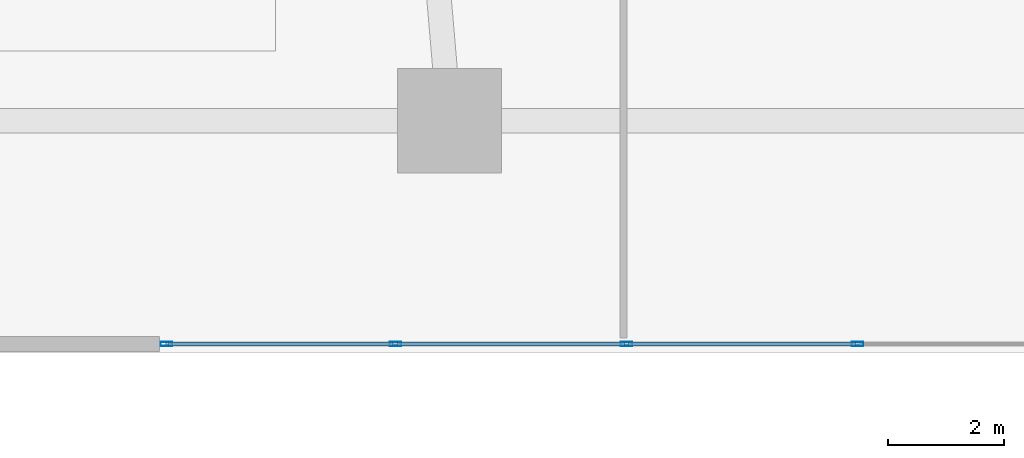
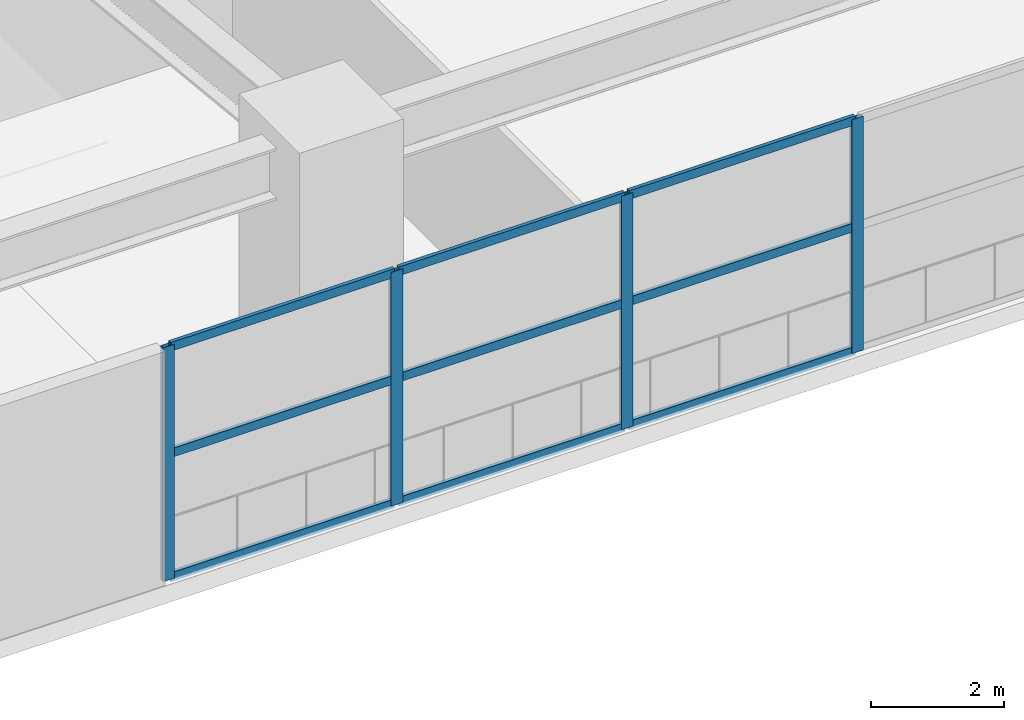
# One storey, part 2 of 25: 13 members, 1 element without a shape of its own.
"""IFC4 building model written with IfcOpenShell, lengths in metres."""

from ifc_helpers import new_model, si_unit, direction, frame, origin, origin_2d, place, context, subcontext, project, spatial, hollow_rectangle, extrude, material, layer, layer_set, material_profile, profile_set, type_object, element, aggregate, save


model = new_model("IFC4")

# Units and contexts
model_context = context("Model", 3, precision=1e-05, world=origin(), true_north=direction((0.0, 1.0)))
body_context = subcontext(model_context, "Body", "Model", "MODEL_VIEW")
ifc_project = project(units=[si_unit("LENGTHUNIT", "METRE"), si_unit("AREAUNIT", "SQUARE_METRE"), si_unit("VOLUMEUNIT", "CUBIC_METRE"), si_unit("PLANEANGLEUNIT", "RADIAN"), si_unit("MASSUNIT", "GRAM", prefix="KILO")], contexts=[model_context])

# Site, building, storey
site_placement = place(None, origin())
site = spatial("IfcSite", under=ifc_project, at=site_placement, CompositionType="ELEMENT")
building_placement = place(site_placement, origin())
building = spatial("IfcBuilding", under=site, at=building_placement, Name="Solvane Sanctuary Tower", CompositionType="ELEMENT")
storey_placement = place(building_placement, frame((0.0, 0.0, 13.800048828125)))
storey = spatial("IfcBuildingStorey", under=building, at=storey_placement, Name="L04", CompositionType="ELEMENT", Elevation=13.800048828125)

# Curtain wall, members
ifc_material = material(Name="Anodised Aluminium 6063-T6", Category="aluminium")
ifc_layer = layer(ifc_material, 0.159912109375, Name="Anodised Aluminium 6063-T6")
ifc_layer_set = layer_set([ifc_layer], Name="Anodised Aluminium 6063-T6")
curtain_wall_type = type_object("IfcCurtainWallType", Name="Curtain Wall CW-POD", PredefinedType="NOTDEFINED", material=ifc_layer_set)
curtain_wall_placement = place(storey_placement, origin())
curtain_wall = element("IfcCurtainWall", 1, at=curtain_wall_placement, inside=storey, type_object=curtain_wall_type, Name="L04 Sanctuary Curtain Wall S2", PredefinedType="NOTDEFINED")
ifc_material_profile_1 = material_profile(ifc_material, hollow_rectangle(XDim=0.074951171875, YDim=0.199951171875, WallThickness=0.00390625, at=origin_2d()), Name="ALU200X75X4")
ifc_profile_set_1 = profile_set([ifc_material_profile_1], Name="Anodised Aluminium 6063-T6")
member_type_1 = type_object("IfcMemberType", Name="Member M-CW-MUL-1 ALU200X75X4", PredefinedType="MULLION", material=ifc_profile_set_1)
member_1_placement = place(storey_placement, frame((20.117431640625, 0.14990234375, 0.0), z_axis=(0.0, 0.0, 1.0), x_axis=(0.0, 1.0, 0.0)))
member_1 = element("IfcMember", 2, at=member_1_placement, type_object=member_type_1, Name="CW-POD mullion 1", PredefinedType="MULLION", context=body_context, shape_type="SweptSolid", body=[
    extrude(hollow_rectangle(XDim=0.074951171875, YDim=0.199951171875, WallThickness=0.00390625, at=origin_2d()), origin(), (0.0, 0.0, 1.0), 4.280029296875),
])
member_2_placement = place(storey_placement, frame((24.066650390625, 0.14990234375, 0.0), z_axis=(0.0, 0.0, 1.0), x_axis=(0.0, 1.0, 0.0)))
member_2 = element("IfcMember", 3, at=member_2_placement, type_object=member_type_1, Name="CW-POD mullion 2", PredefinedType="MULLION", context=body_context, shape_type="SweptSolid", body=[
    extrude(hollow_rectangle(XDim=0.074951171875, YDim=0.199951171875, WallThickness=0.00390625, at=origin_2d()), origin(), (0.0, 0.0, 1.0), 4.280029296875),
])
member_3_placement = place(storey_placement, frame((28.05322265625, 0.14990234375, 0.0), z_axis=(0.0, 0.0, 1.0), x_axis=(0.0, 1.0, 0.0)))
member_3 = element("IfcMember", 4, at=member_3_placement, type_object=member_type_1, Name="CW-POD mullion 3", PredefinedType="MULLION", context=body_context, shape_type="SweptSolid", body=[
    extrude(hollow_rectangle(XDim=0.074951171875, YDim=0.199951171875, WallThickness=0.00390625, at=origin_2d()), origin(), (0.0, 0.0, 1.0), 4.280029296875),
])
member_4_placement = place(storey_placement, frame((32.0400390625, 0.14990234375, 0.0), z_axis=(0.0, 0.0, 1.0), x_axis=(0.0, 1.0, 0.0)))
member_4 = element("IfcMember", 5, at=member_4_placement, type_object=member_type_1, Name="CW-POD mullion 4", PredefinedType="MULLION", context=body_context, shape_type="SweptSolid", body=[
    extrude(hollow_rectangle(XDim=0.074951171875, YDim=0.199951171875, WallThickness=0.00390625, at=origin_2d()), origin(), (0.0, 0.0, 1.0), 4.280029296875),
])
ifc_material_profile_2 = material_profile(ifc_material, hollow_rectangle(XDim=0.06494140625, YDim=0.159912109375, WallThickness=0.00341796875, at=origin_2d()), Name="ALU160X65X3.5")
ifc_profile_set_2 = profile_set([ifc_material_profile_2], Name="Anodised Aluminium 6063-T6")
member_type_2 = type_object("IfcMemberType", Name="Member M-CW-TRN-1 ALU160X65X3.5", PredefinedType="USERDEFINED", material=ifc_profile_set_2)
member_5_placement = place(storey_placement, frame((20.155029296875, 0.14990234375, 0.032470703125), z_axis=(1.0, 0.0, 0.0), x_axis=(0.0, 1.0, 0.0)))
member_5 = element("IfcMember", 6, at=member_5_placement, type_object=member_type_2, Name="CW-POD transom 1.1", ObjectType="TRANSOM", PredefinedType="USERDEFINED", context=body_context, shape_type="SweptSolid", body=[
    extrude(hollow_rectangle(XDim=0.06494140625, YDim=0.159912109375, WallThickness=0.00341796875, at=origin_2d()), origin(), (0.0, 0.0, 1.0), 3.8740234375),
])
member_6_placement = place(storey_placement, frame((20.155029296875, 0.14990234375, 2.300048828125), z_axis=(1.0, 0.0, 0.0), x_axis=(0.0, 1.0, 0.0)))
member_6 = element("IfcMember", 7, at=member_6_placement, type_object=member_type_2, Name="CW-POD transom 1.2", ObjectType="TRANSOM", PredefinedType="USERDEFINED", context=body_context, shape_type="SweptSolid", body=[
    extrude(hollow_rectangle(XDim=0.06494140625, YDim=0.159912109375, WallThickness=0.00341796875, at=origin_2d()), origin(), (0.0, 0.0, 1.0), 3.8740234375),
])
member_7_placement = place(storey_placement, frame((20.155029296875, 0.14990234375, 4.24755859375), z_axis=(1.0, 0.0, 0.0), x_axis=(0.0, 1.0, 0.0)))
member_7 = element("IfcMember", 8, at=member_7_placement, type_object=member_type_2, Name="CW-POD transom 1.3", ObjectType="TRANSOM", PredefinedType="USERDEFINED", context=body_context, shape_type="SweptSolid", body=[
    extrude(hollow_rectangle(XDim=0.06494140625, YDim=0.159912109375, WallThickness=0.00341796875, at=origin_2d()), origin(), (0.0, 0.0, 1.0), 3.8740234375),
])
member_8_placement = place(storey_placement, frame((24.104248046875, 0.14990234375, 0.032470703125), z_axis=(1.0, 0.0, 0.0), x_axis=(0.0, 1.0, 0.0)))
member_8 = element("IfcMember", 9, at=member_8_placement, type_object=member_type_2, Name="CW-POD transom 2.1", ObjectType="TRANSOM", PredefinedType="USERDEFINED", context=body_context, shape_type="SweptSolid", body=[
    extrude(hollow_rectangle(XDim=0.06494140625, YDim=0.159912109375, WallThickness=0.00341796875, at=origin_2d()), origin(), (0.0, 0.0, 1.0), 3.91162109375),
])
member_9_placement = place(storey_placement, frame((24.104248046875, 0.14990234375, 2.300048828125), z_axis=(1.0, 0.0, 0.0), x_axis=(0.0, 1.0, 0.0)))
member_9 = element("IfcMember", 10, at=member_9_placement, type_object=member_type_2, Name="CW-POD transom 2.2", ObjectType="TRANSOM", PredefinedType="USERDEFINED", context=body_context, shape_type="SweptSolid", body=[
    extrude(hollow_rectangle(XDim=0.06494140625, YDim=0.159912109375, WallThickness=0.00341796875, at=origin_2d()), origin(), (0.0, 0.0, 1.0), 3.91162109375),
])
member_10_placement = place(storey_placement, frame((24.104248046875, 0.14990234375, 4.24755859375), z_axis=(1.0, 0.0, 0.0), x_axis=(0.0, 1.0, 0.0)))
member_10 = element("IfcMember", 11, at=member_10_placement, type_object=member_type_2, Name="CW-POD transom 2.3", ObjectType="TRANSOM", PredefinedType="USERDEFINED", context=body_context, shape_type="SweptSolid", body=[
    extrude(hollow_rectangle(XDim=0.06494140625, YDim=0.159912109375, WallThickness=0.00341796875, at=origin_2d()), origin(), (0.0, 0.0, 1.0), 3.91162109375),
])
member_11_placement = place(storey_placement, frame((28.0908203125, 0.14990234375, 0.032470703125), z_axis=(1.0, 0.0, 0.0), x_axis=(0.0, 1.0, 0.0)))
member_11 = element("IfcMember", 12, at=member_11_placement, type_object=member_type_2, Name="CW-POD transom 3.1", ObjectType="TRANSOM", PredefinedType="USERDEFINED", context=body_context, shape_type="SweptSolid", body=[
    extrude(hollow_rectangle(XDim=0.06494140625, YDim=0.159912109375, WallThickness=0.00341796875, at=origin_2d()), origin(), (0.0, 0.0, 1.0), 3.91162109375),
])
member_12_placement = place(storey_placement, frame((28.0908203125, 0.14990234375, 2.300048828125), z_axis=(1.0, 0.0, 0.0), x_axis=(0.0, 1.0, 0.0)))
member_12 = element("IfcMember", 13, at=member_12_placement, type_object=member_type_2, Name="CW-POD transom 3.2", ObjectType="TRANSOM", PredefinedType="USERDEFINED", context=body_context, shape_type="SweptSolid", body=[
    extrude(hollow_rectangle(XDim=0.06494140625, YDim=0.159912109375, WallThickness=0.00341796875, at=origin_2d()), origin(), (0.0, 0.0, 1.0), 3.91162109375),
])
member_13_placement = place(storey_placement, frame((28.0908203125, 0.14990234375, 4.24755859375), z_axis=(1.0, 0.0, 0.0), x_axis=(0.0, 1.0, 0.0)))
member_13 = element("IfcMember", 14, at=member_13_placement, type_object=member_type_2, Name="CW-POD transom 3.3", ObjectType="TRANSOM", PredefinedType="USERDEFINED", context=body_context, shape_type="SweptSolid", body=[
    extrude(hollow_rectangle(XDim=0.06494140625, YDim=0.159912109375, WallThickness=0.00341796875, at=origin_2d()), origin(), (0.0, 0.0, 1.0), 3.91162109375),
])
aggregate(curtain_wall, [member_1, member_2, member_3, member_4, member_5, member_6, member_7, member_8, member_9, member_10, member_11, member_12, member_13])

save(model, "model.ifc")
